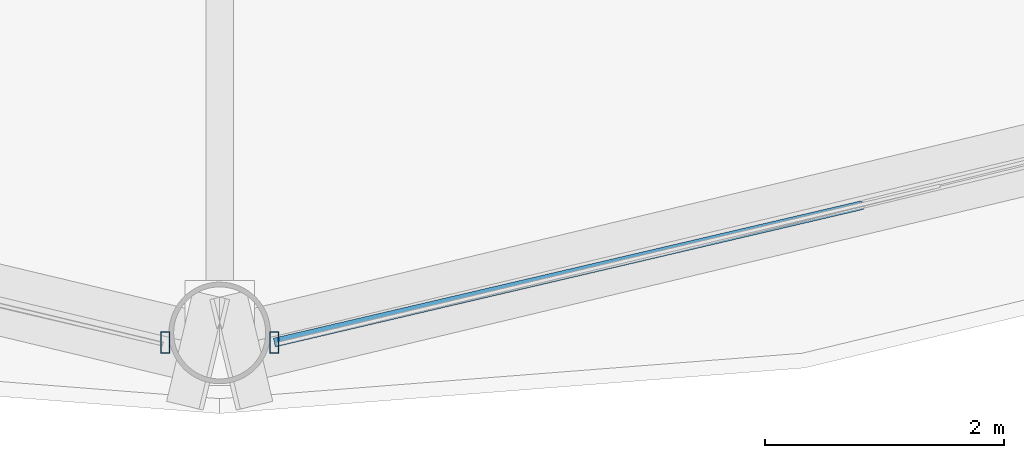
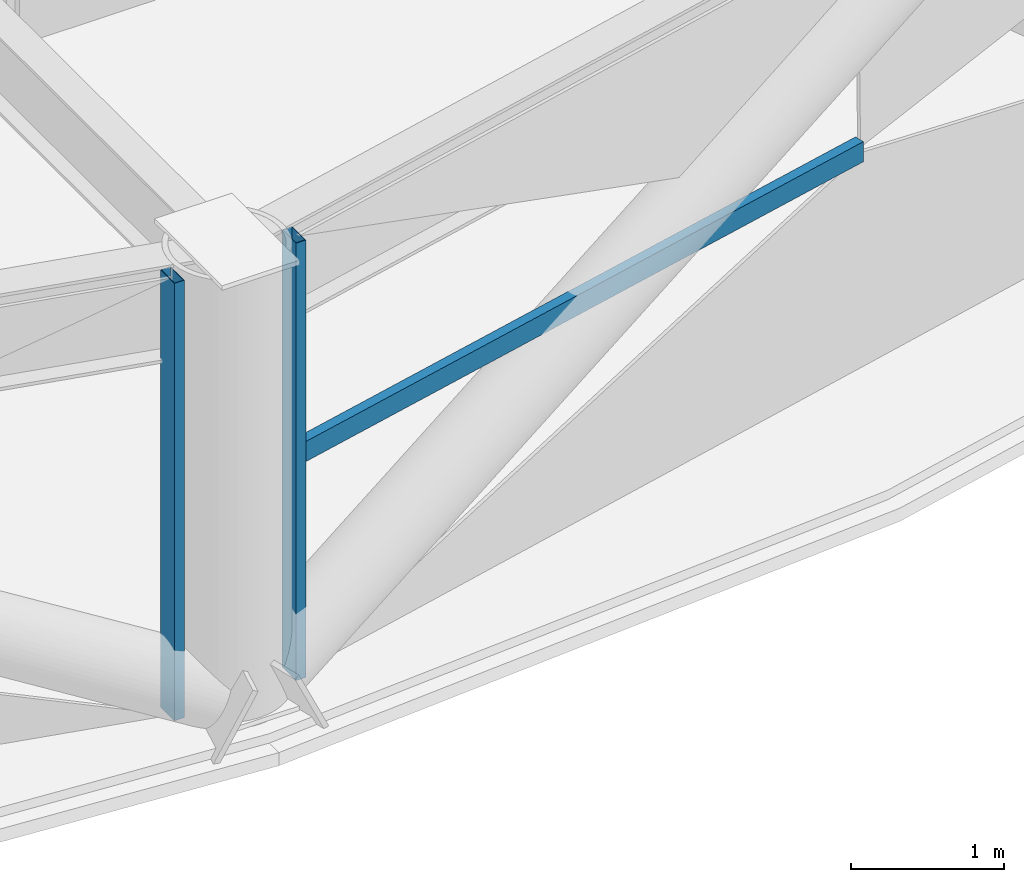
# One storey, part 4 of 30: 3 members, 2 elements without a shape of their own.
"""IFC4 building model written with IfcOpenShell, lengths in metres."""

from ifc_helpers import new_model, si_unit, direction, frame, origin, origin_2d, place, context, subcontext, project, spatial, hollow_rectangle, extrude, material, layer, layer_set, material_profile, profile_set, type_object, element, aggregate, save


model = new_model("IFC4")

# Units and contexts
model_context = context("Model", 3, precision=1e-05, world=origin(), true_north=direction((0.0, 1.0)))
body_context = subcontext(model_context, "Body", "Model", "MODEL_VIEW")
ifc_project = project(units=[si_unit("LENGTHUNIT", "METRE"), si_unit("AREAUNIT", "SQUARE_METRE"), si_unit("VOLUMEUNIT", "CUBIC_METRE"), si_unit("PLANEANGLEUNIT", "RADIAN"), si_unit("MASSUNIT", "GRAM", prefix="KILO")], contexts=[model_context])

# Site, building, storey
site_placement = place(None, origin())
site = spatial("IfcSite", under=ifc_project, at=site_placement, CompositionType="ELEMENT")
building_placement = place(site_placement, origin())
building = spatial("IfcBuilding", under=site, at=building_placement, Name="Vantalir Tower", CompositionType="ELEMENT")
storey_placement = place(building_placement, frame((0.0, 0.0, 79.5)))
storey = spatial("IfcBuildingStorey", under=building, at=storey_placement, Name="L19", CompositionType="ELEMENT", Elevation=79.5)

# Curtain wall, member
ifc_material_1 = material(Name="Champagne-silver PVDF aluminium and double-silver Low-E glass", Category="aluminium")
ifc_layer = layer(ifc_material_1, 0.18994140625)
ifc_layer_set = layer_set([ifc_layer], Name="Champagne-silver PVDF aluminium and double-silver Low-E glass")
curtain_wall_type = type_object("IfcCurtainWallType", Name="CW-DIAMOND-Z1", PredefinedType="USERDEFINED", material=ifc_layer_set)
curtain_wall_1_placement = place(storey_placement, origin())
curtain_wall_1 = element("IfcCurtainWall", 1, at=curtain_wall_1_placement, inside=storey, type_object=curtain_wall_type, Name="L19 Quilted Pyramid-Diamond Curtain Wall S09", ObjectType="UNITISED CURTAIN WALL", PredefinedType="USERDEFINED")
ifc_material_2 = material(Name="Champagne-silver PVDF aluminium 6063-T6", Category="aluminium")
ifc_material_profile_1 = material_profile(ifc_material_2, hollow_rectangle(XDim=0.074951171875, YDim=0.179931640625, WallThickness=0.00390625, at=origin_2d()), Name="Champagne-silver PVDF aluminium 6063-T6")
ifc_profile_set_1 = profile_set([ifc_material_profile_1], Name="Champagne-silver PVDF aluminium 6063-T6")
member_type_1 = type_object("IfcMemberType", Name="CWM-180x75", PredefinedType="MULLION", material=ifc_profile_set_1)
member_1_placement = place(storey_placement, frame((31.04296875, 0.424072265625, 0.044921875), z_axis=(0.0, 0.0, 1.0), x_axis=(1.0, 0.0, 0.0)))
member_1 = element("IfcMember", 2, at=member_1_placement, type_object=member_type_1, Name="CW-L19-S09 Mullion 2", PredefinedType="MULLION", context=body_context, shape_type="SweptSolid", body=[
    extrude(hollow_rectangle(XDim=0.074951171875, YDim=0.179931640625, WallThickness=0.00390625, at=origin_2d()), origin(), (0.0, 0.0, 1.0), 3.47998046875),
])
aggregate(curtain_wall_1, [member_1])

# Curtain wall, members
curtain_wall_2_placement = place(storey_placement, origin())
curtain_wall_2 = element("IfcCurtainWall", 3, at=curtain_wall_2_placement, inside=storey, type_object=curtain_wall_type, Name="L19 Quilted Pyramid-Diamond Curtain Wall S10", ObjectType="UNITISED CURTAIN WALL", PredefinedType="USERDEFINED")
member_2_placement = place(storey_placement, frame((31.95703125, 0.424072265625, 0.044921875), z_axis=(0.0, 0.0, 1.0), x_axis=(1.0, 0.0, 0.0)))
member_2 = element("IfcMember", 4, at=member_2_placement, type_object=member_type_1, Name="CW-L19-S10 Mullion 1", PredefinedType="MULLION", context=body_context, shape_type="SweptSolid", body=[
    extrude(hollow_rectangle(XDim=0.074951171875, YDim=0.179931640625, WallThickness=0.00390625, at=origin_2d()), origin(), (0.0, 0.0, 1.0), 3.47998046875),
])
ifc_material_profile_2 = material_profile(ifc_material_2, hollow_rectangle(XDim=0.074951171875, YDim=0.159912109375, WallThickness=0.00390625, at=origin_2d()), Name="Champagne-silver PVDF aluminium 6063-T6")
ifc_profile_set_2 = profile_set([ifc_material_profile_2], Name="Champagne-silver PVDF aluminium 6063-T6")
member_type_2 = type_object("IfcMemberType", Name="CWT-160x75", PredefinedType="USERDEFINED", material=ifc_profile_set_2)
member_3_placement = place(storey_placement, frame((31.95703125, 0.424072265625, 1.784912109375), z_axis=(0.973747013142, 0.227632937855, 0.0), x_axis=(-0.227632937855, 0.973747013142, 0.0)))
member_3 = element("IfcMember", 5, at=member_3_placement, type_object=member_type_2, Name="CW-L19-S10 Pyramid Fold Ridge Transom", ObjectType="TRANSOM", PredefinedType="USERDEFINED", context=body_context, shape_type="SweptSolid", body=[
    extrude(hollow_rectangle(XDim=0.074951171875, YDim=0.159912109375, WallThickness=0.00390625, at=origin_2d()), origin(), (0.0, 0.0, 1.0), 5.051513671875),
])
aggregate(curtain_wall_2, [member_2, member_3])

save(model, "model.ifc")
